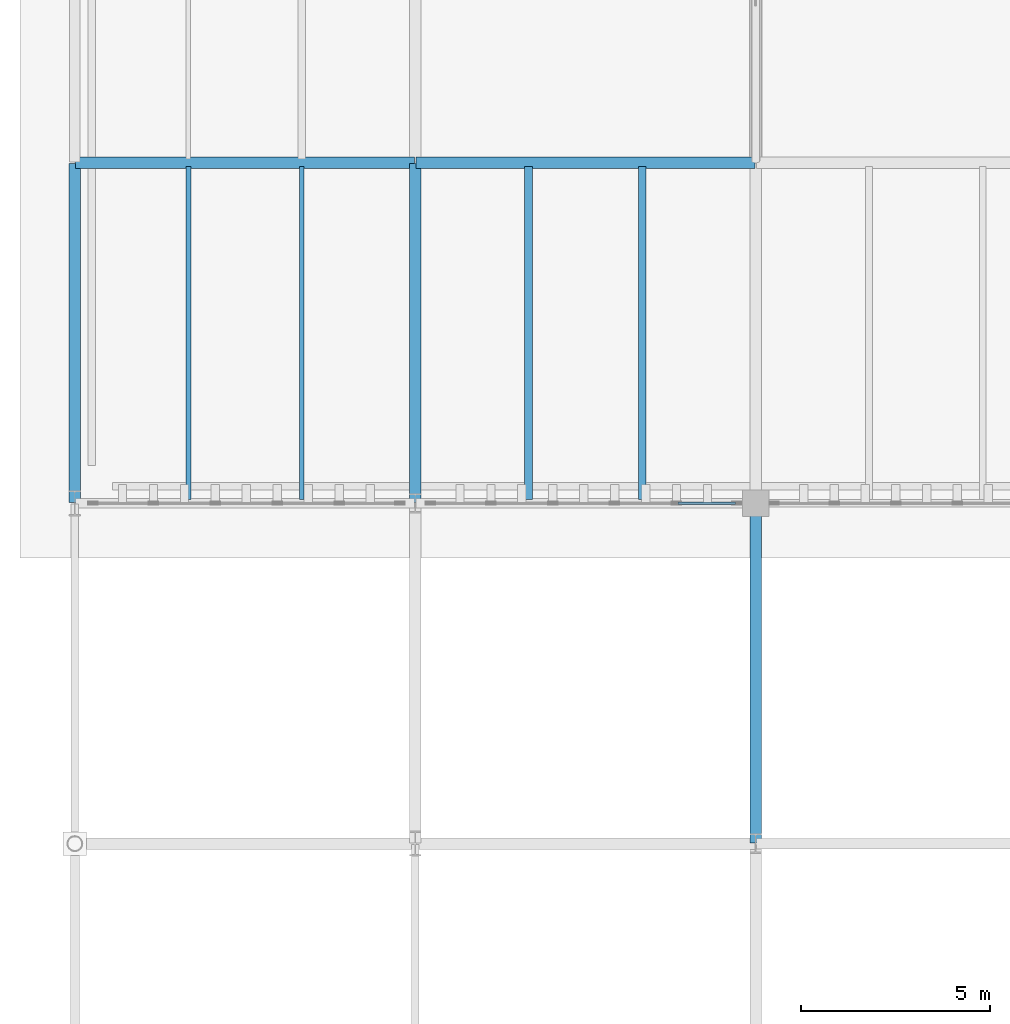
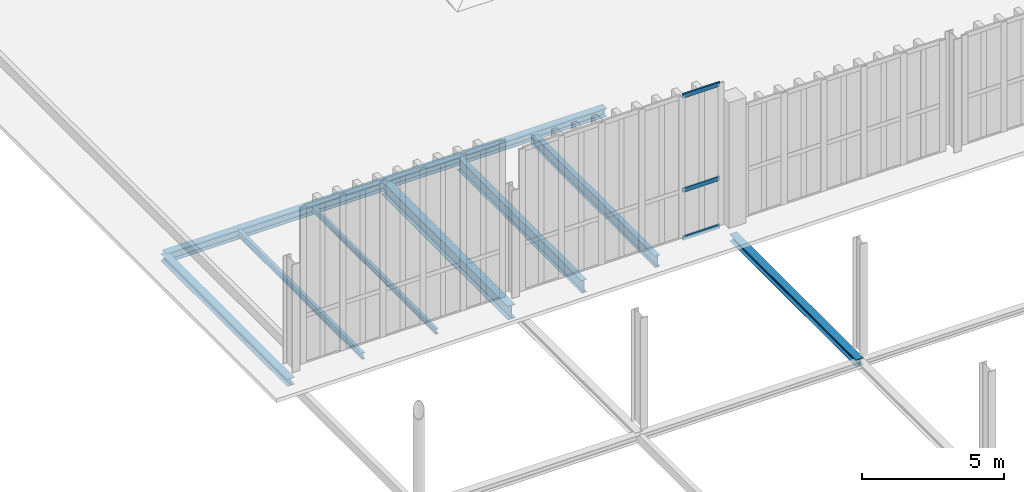
# One storey, part 19 of 196: 9 beams, 3 members, 1 element without a shape of its own.
"""IFC4 building model written with IfcOpenShell, lengths in metres."""

from ifc_helpers import new_model, si_unit, direction, frame, origin, origin_2d, place, context, subcontext, project, spatial, hollow_rectangle, i_section, extrude, material, layer, layer_set, material_profile, profile_set, type_object, element, aggregate, save


model = new_model("IFC4")

# Units and contexts
model_context = context("Model", 3, precision=1e-05, world=origin(), true_north=direction((0.0, 1.0)))
body_context = subcontext(model_context, "Body", "Model", "MODEL_VIEW")
ifc_project = project(units=[si_unit("LENGTHUNIT", "METRE"), si_unit("AREAUNIT", "SQUARE_METRE"), si_unit("VOLUMEUNIT", "CUBIC_METRE"), si_unit("PLANEANGLEUNIT", "RADIAN"), si_unit("MASSUNIT", "GRAM", prefix="KILO")], contexts=[model_context])

# Site, building, storey
site_placement = place(None, origin())
site = spatial("IfcSite", under=ifc_project, at=site_placement, CompositionType="ELEMENT")
building_placement = place(site_placement, origin())
building = spatial("IfcBuilding", under=site, at=building_placement, Name="Barlavento Convention Centre", CompositionType="ELEMENT")
storey_placement = place(building_placement, frame((0.0, 0.0, 18.0)))
storey = spatial("IfcBuildingStorey", under=building, at=storey_placement, Name="L03", CompositionType="ELEMENT", Elevation=18.0)

# Curtain wall, members
ifc_material_1 = material(Name="Powder-coated aluminium and Low-E glass", Category="aluminium")
ifc_layer = layer(ifc_material_1, 0.18994140625)
ifc_layer_set = layer_set([ifc_layer], Name="ARC-CW-CONG-L02")
curtain_wall_type = type_object("IfcCurtainWallType", Name="ARC-CW-CONG-L02", PredefinedType="NOTDEFINED", material=ifc_layer_set)
curtain_wall_placement = place(storey_placement, origin())
curtain_wall = element("IfcCurtainWall", 1, at=curtain_wall_placement, inside=storey, type_object=curtain_wall_type, Name="L03 unitised curtain wall CW02", PredefinedType="NOTDEFINED")
ifc_material_2 = material(Name="Powder-coated aluminium", Category="aluminium")
ifc_material_profile_1 = material_profile(ifc_material_2, hollow_rectangle(XDim=0.070068359375, YDim=0.179931640625, WallThickness=0.0048828125, at=origin_2d()), Name="AL-TRAN 70x180x5")
ifc_profile_set_1 = profile_set([ifc_material_profile_1], Name="Powder-coated aluminium")
member_type = type_object("IfcMemberType", Name="ARC-CWT-70X180", PredefinedType="USERDEFINED", material=ifc_profile_set_1)
member_1_placement = place(storey_placement, frame((15.947021484375, 54.0, 0.135009765625), z_axis=(1.0, 0.0, 0.0), x_axis=(0.0, 1.0, 0.0)))
member_1 = element("IfcMember", 2, at=member_1_placement, type_object=member_type, Name="CW02 transom 5.1", ObjectType="TRANSOM", PredefinedType="USERDEFINED", context=body_context, shape_type="SweptSolid", body=[
    extrude(hollow_rectangle(XDim=0.070068359375, YDim=0.179931640625, WallThickness=0.0048828125, at=origin_2d()), origin(), (0.0, 0.0, 1.0), 1.52294921875),
])
member_2_placement = place(storey_placement, frame((15.947021484375, 54.0, 2.199951171875), z_axis=(1.0, 0.0, 0.0), x_axis=(0.0, 1.0, 0.0)))
member_2 = element("IfcMember", 3, at=member_2_placement, type_object=member_type, Name="CW02 transom 5.2", ObjectType="TRANSOM", PredefinedType="USERDEFINED", context=body_context, shape_type="SweptSolid", body=[
    extrude(hollow_rectangle(XDim=0.070068359375, YDim=0.179931640625, WallThickness=0.0048828125, at=origin_2d()), origin(), (0.0, 0.0, 1.0), 1.52294921875),
])
member_3_placement = place(storey_placement, frame((15.947021484375, 54.0, 6.258056640625), z_axis=(1.0, 0.0, 0.0), x_axis=(0.0, 1.0, 0.0)))
member_3 = element("IfcMember", 4, at=member_3_placement, type_object=member_type, Name="CW02 transom 5.3", ObjectType="TRANSOM", PredefinedType="USERDEFINED", context=body_context, shape_type="SweptSolid", body=[
    extrude(hollow_rectangle(XDim=0.070068359375, YDim=0.179931640625, WallThickness=0.0048828125, at=origin_2d()), origin(), (0.0, 0.0, 1.0), 1.52294921875),
])
aggregate(curtain_wall, [member_1, member_2, member_3])

# Beams
ifc_material_3 = material(Name="Steel S355", Category="steel")
ifc_material_profile_2 = material_profile(ifc_material_3, i_section(OverallWidth=0.1201171875, OverallDepth=0.239990234375, WebThickness=0.006103515625, FlangeThickness=0.009765625, FilletRadius=0.014892578125, at=origin_2d()), Name="IPE 240")
ifc_profile_set_2 = profile_set([ifc_material_profile_2], Name="Steel S355")
beam_type_1 = type_object("IfcBeamType", Name="STR-BM-JST-IPE240", PredefinedType="JOIST", material=ifc_profile_set_2)
beam_1_placement = place(storey_placement, frame((6.0, 54.094970703125, -0.465087890625), z_axis=(0.0, 1.0, 0.0), x_axis=(-1.0, 0.0, 0.0)))
element("IfcBeam", 5, at=beam_1_placement, inside=storey, type_object=beam_type_1, Name="L03 composite floor joist SJ09", PredefinedType="JOIST", context=body_context, shape_type="SweptSolid", body=[
    extrude(i_section(OverallWidth=0.1201171875, OverallDepth=0.239990234375, WebThickness=0.006103515625, FlangeThickness=0.009765625, FilletRadius=0.014892578125, at=origin_2d()), origin(), (0.0, 0.0, 1.0), 8.81005859375),
])
ifc_material_profile_3 = material_profile(ifc_material_3, i_section(OverallWidth=0.135009765625, OverallDepth=0.27001953125, WebThickness=0.006591796875, FlangeThickness=0.01025390625, FilletRadius=0.014892578125, at=origin_2d()), Name="IPE 270")
ifc_profile_set_3 = profile_set([ifc_material_profile_3], Name="Steel S355")
beam_type_2 = type_object("IfcBeamType", Name="STR-BM-JST-IPE270", PredefinedType="JOIST", material=ifc_profile_set_3)
beam_2_placement = place(storey_placement, frame((3.0, 54.094970703125, -0.47998046875), z_axis=(0.0, 1.0, 0.0), x_axis=(-1.0, 0.0, 0.0)))
element("IfcBeam", 6, at=beam_2_placement, inside=storey, type_object=beam_type_2, Name="L03 composite floor joist SJ08", PredefinedType="JOIST", context=body_context, shape_type="SweptSolid", body=[
    extrude(i_section(OverallWidth=0.135009765625, OverallDepth=0.27001953125, WebThickness=0.006591796875, FlangeThickness=0.01025390625, FilletRadius=0.014892578125, at=origin_2d()), origin(), (0.0, 0.0, 1.0), 8.81005859375),
])
ifc_material_profile_4 = material_profile(ifc_material_3, i_section(OverallWidth=0.199951171875, OverallDepth=0.5, WebThickness=0.01025390625, FlangeThickness=0.01611328125, FilletRadius=0.02099609375, at=origin_2d()), Name="IPE 500")
ifc_profile_set_4 = profile_set([ifc_material_profile_4], Name="Steel S355")
beam_type_3 = type_object("IfcBeamType", Name="STR-BM-JST-IPE500", PredefinedType="JOIST", material=ifc_profile_set_4)
beam_3_placement = place(storey_placement, frame((15.0, 54.094970703125, -0.594970703125), z_axis=(0.0, 1.0, 0.0), x_axis=(-1.0, 0.0, 0.0)))
element("IfcBeam", 7, at=beam_3_placement, inside=storey, type_object=beam_type_3, Name="L03 composite floor joist SJ02", PredefinedType="JOIST", context=body_context, shape_type="SweptSolid", body=[
    extrude(i_section(OverallWidth=0.199951171875, OverallDepth=0.5, WebThickness=0.01025390625, FlangeThickness=0.01611328125, FilletRadius=0.02099609375, at=origin_2d()), origin(), (0.0, 0.0, 1.0), 8.81005859375),
])
ifc_material_profile_5 = material_profile(ifc_material_3, i_section(OverallWidth=0.2099609375, OverallDepth=0.550048828125, WebThickness=0.010986328125, FlangeThickness=0.01708984375, FilletRadius=0.02392578125, at=origin_2d()), Name="IPE 550")
ifc_profile_set_5 = profile_set([ifc_material_profile_5], Name="Steel S355")
beam_type_4 = type_object("IfcBeamType", Name="STR-BM-JST-IPE550", PredefinedType="JOIST", material=ifc_profile_set_5)
beam_4_placement = place(storey_placement, frame((12.0, 54.094970703125, -0.6201171875), z_axis=(0.0, 1.0, 0.0), x_axis=(-1.0, 0.0, 0.0)))
element("IfcBeam", 8, at=beam_4_placement, inside=storey, type_object=beam_type_4, Name="L03 composite floor joist SJ01", PredefinedType="JOIST", context=body_context, shape_type="SweptSolid", body=[
    extrude(i_section(OverallWidth=0.2099609375, OverallDepth=0.550048828125, WebThickness=0.010986328125, FlangeThickness=0.01708984375, FilletRadius=0.02392578125, at=origin_2d()), origin(), (0.0, 0.0, 1.0), 8.81005859375),
])
ifc_material_profile_6 = material_profile(ifc_material_3, i_section(OverallWidth=0.300048828125, OverallDepth=0.590087890625, WebThickness=0.012939453125, FlangeThickness=0.02490234375, FilletRadius=0.027099609375, at=origin_2d()), Name="HEA 600")
ifc_profile_set_6 = profile_set([ifc_material_profile_6], Name="Steel S355")
beam_type_5 = type_object("IfcBeamType", Name="STR-BM-PRI-HEA600", PredefinedType="BEAM", material=ifc_profile_set_6)
beam_5_placement = place(storey_placement, frame((9.0, 54.02001953125, -0.639892578125), z_axis=(0.0, 1.0, 0.0), x_axis=(-1.0, 0.0, 0.0)))
element("IfcBeam", 9, at=beam_5_placement, inside=storey, type_object=beam_type_5, Name="L03 grid girder BG18", PredefinedType="BEAM", context=body_context, shape_type="SweptSolid", body=[
    extrude(i_section(OverallWidth=0.300048828125, OverallDepth=0.590087890625, WebThickness=0.012939453125, FlangeThickness=0.02490234375, FilletRadius=0.027099609375, at=origin_2d()), origin(), (0.0, 0.0, 1.0), 8.9599609375),
])
ifc_material_profile_7 = material_profile(ifc_material_3, i_section(OverallWidth=0.300048828125, OverallDepth=0.360107421875, WebThickness=0.012451171875, FlangeThickness=0.0224609375, FilletRadius=0.027099609375, at=origin_2d()), Name="HEB 360")
ifc_profile_set_7 = profile_set([ifc_material_profile_7], Name="Steel S355")
beam_type_6 = type_object("IfcBeamType", Name="STR-BM-PRI-HEB360", PredefinedType="BEAM", material=ifc_profile_set_7)
beam_6_placement = place(storey_placement, frame((9.02001953125, 63.0, -0.52490234375), z_axis=(1.0, 0.0, 0.0), x_axis=(0.0, 1.0, 0.0)))
element("IfcBeam", 10, at=beam_6_placement, inside=storey, type_object=beam_type_6, Name="L03 primary girder BG12", PredefinedType="BEAM", context=body_context, shape_type="SweptSolid", body=[
    extrude(i_section(OverallWidth=0.300048828125, OverallDepth=0.360107421875, WebThickness=0.012451171875, FlangeThickness=0.0224609375, FilletRadius=0.027099609375, at=origin_2d()), origin(), (0.0, 0.0, 1.0), 8.9599609375),
])
ifc_material_profile_8 = material_profile(ifc_material_3, i_section(OverallWidth=0.300048828125, OverallDepth=0.39990234375, WebThickness=0.013427734375, FlangeThickness=0.02392578125, FilletRadius=0.027099609375, at=origin_2d()), Name="HEB 400")
ifc_profile_set_8 = profile_set([ifc_material_profile_8], Name="Steel S355")
beam_type_7 = type_object("IfcBeamType", Name="STR-BM-PRI-HEB400", PredefinedType="BEAM", material=ifc_profile_set_8)
beam_7_placement = place(storey_placement, frame((0.02001953125, 63.0, -0.544921875), z_axis=(1.0, 0.0, 0.0), x_axis=(0.0, 1.0, 0.0)))
element("IfcBeam", 11, at=beam_7_placement, inside=storey, type_object=beam_type_7, Name="L03 primary girder BG11", PredefinedType="BEAM", context=body_context, shape_type="SweptSolid", body=[
    extrude(i_section(OverallWidth=0.300048828125, OverallDepth=0.39990234375, WebThickness=0.013427734375, FlangeThickness=0.02392578125, FilletRadius=0.027099609375, at=origin_2d()), origin(), (0.0, 0.0, 1.0), 8.9599609375),
])
ifc_material_profile_9 = material_profile(ifc_material_3, i_section(OverallWidth=0.300048828125, OverallDepth=0.2900390625, WebThickness=0.008544921875, FlangeThickness=0.013916015625, FilletRadius=0.027099609375, at=origin_2d()), Name="HEA 300")
ifc_profile_set_9 = profile_set([ifc_material_profile_9], Name="Steel S355")
beam_type_8 = type_object("IfcBeamType", Name="STR-BM-SPN-HEA300", PredefinedType="SPANDREL", material=ifc_profile_set_9)
beam_8_placement = place(storey_placement, frame((18.0, 45.02001953125, -0.489990234375), z_axis=(0.0, 1.0, 0.0), x_axis=(-1.0, 0.0, 0.0)))
element("IfcBeam", 12, at=beam_8_placement, inside=storey, type_object=beam_type_8, Name="L03 grid girder SP02", PredefinedType="SPANDREL", context=body_context, shape_type="SweptSolid", body=[
    extrude(i_section(OverallWidth=0.300048828125, OverallDepth=0.2900390625, WebThickness=0.008544921875, FlangeThickness=0.013916015625, FilletRadius=0.027099609375, at=origin_2d()), origin(), (0.0, 0.0, 1.0), 8.9599609375),
])
ifc_material_profile_10 = material_profile(ifc_material_3, i_section(OverallWidth=0.300048828125, OverallDepth=0.31005859375, WebThickness=0.009033203125, FlangeThickness=0.015380859375, FilletRadius=0.027099609375, at=origin_2d()), Name="HEA 320")
ifc_profile_set_10 = profile_set([ifc_material_profile_10], Name="Steel S355")
beam_type_9 = type_object("IfcBeamType", Name="STR-BM-SPN-HEA320", PredefinedType="SPANDREL", material=ifc_profile_set_10)
beam_9_placement = place(storey_placement, frame((0.0, 54.02001953125, -0.5), z_axis=(0.0, 1.0, 0.0), x_axis=(-1.0, 0.0, 0.0)))
element("IfcBeam", 13, at=beam_9_placement, inside=storey, type_object=beam_type_9, Name="L03 grid girder SP01", PredefinedType="SPANDREL", context=body_context, shape_type="SweptSolid", body=[
    extrude(i_section(OverallWidth=0.300048828125, OverallDepth=0.31005859375, WebThickness=0.009033203125, FlangeThickness=0.015380859375, FilletRadius=0.027099609375, at=origin_2d()), origin(), (0.0, 0.0, 1.0), 8.9599609375),
])

save(model, "model.ifc")
